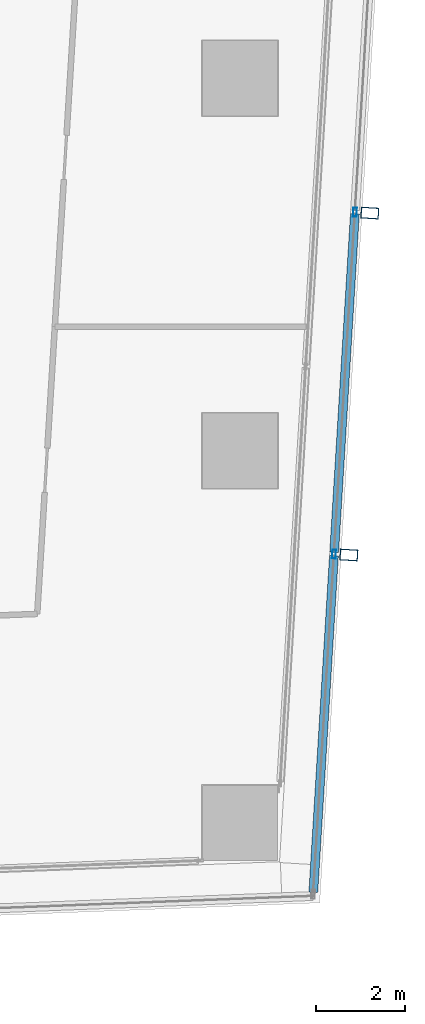
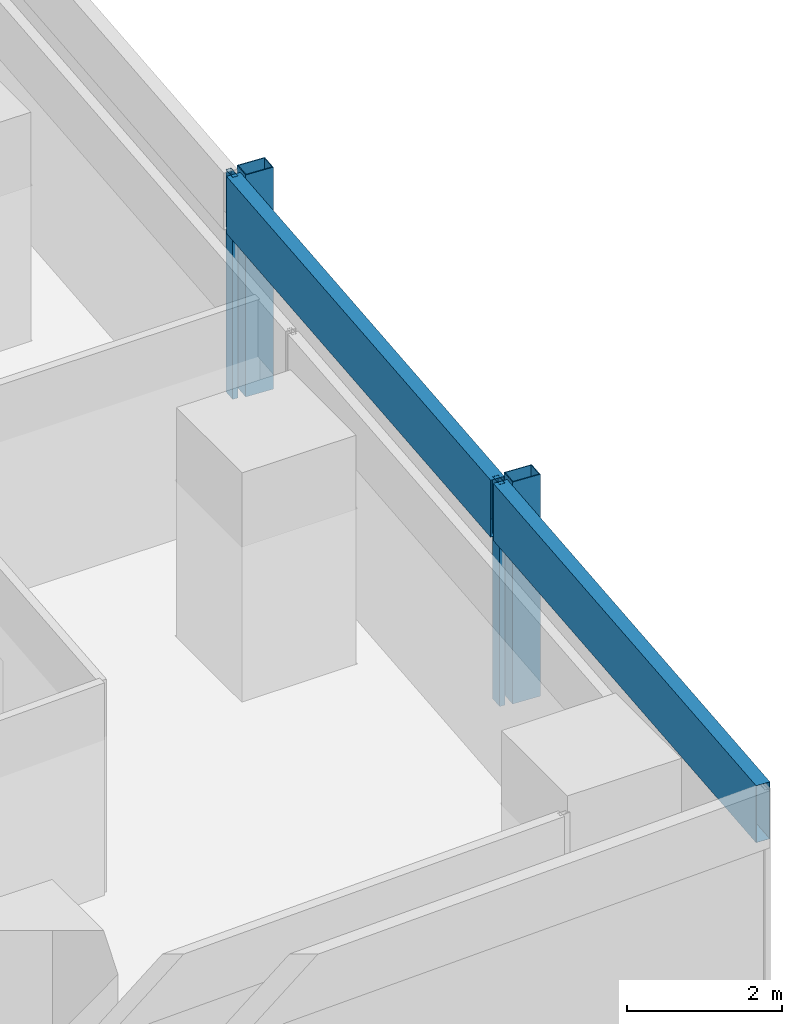
# One storey, part 23 of 40: 6 members, 1 element without a shape of its own.
"""IFC4 building model written with IfcOpenShell, lengths in metres."""

from ifc_helpers import new_model, si_unit, direction, frame, origin, origin_2d, place, context, subcontext, project, spatial, hollow_rectangle, extrude, material, material_profile, profile_set, type_object, element, aggregate, save


model = new_model("IFC4")

# Units and contexts
model_context = context("Model", 3, precision=1e-05, world=origin(), true_north=direction((0.0, 1.0)))
body_context = subcontext(model_context, "Body", "Model", "MODEL_VIEW")
ifc_project = project(units=[si_unit("LENGTHUNIT", "METRE"), si_unit("AREAUNIT", "SQUARE_METRE"), si_unit("VOLUMEUNIT", "CUBIC_METRE"), si_unit("PLANEANGLEUNIT", "RADIAN"), si_unit("MASSUNIT", "GRAM", prefix="KILO")], contexts=[model_context])

# Site, building, storey
site_placement = place(None, origin())
site = spatial("IfcSite", under=ifc_project, at=site_placement, CompositionType="ELEMENT")
building_placement = place(site_placement, origin())
building = spatial("IfcBuilding", under=site, at=building_placement, Name="Rekha Terrace Tower", CompositionType="ELEMENT")
storey_placement = place(building_placement, frame((0.0, 0.0, 140.300048828125)))
storey = spatial("IfcBuildingStorey", under=building, at=storey_placement, Name="L35", CompositionType="ELEMENT", Elevation=140.300048828125)

# Curtain wall, members
ifc_material_1 = material(Name="Aluminium framing", Category="aluminium")
curtain_wall_type = type_object("IfcCurtainWallType", Name="CW2 double skin outer glazing", PredefinedType="USERDEFINED", material=ifc_material_1)
curtain_wall_placement = place(storey_placement, origin())
curtain_wall = element("IfcCurtainWall", 1, at=curtain_wall_placement, inside=storey, type_object=curtain_wall_type, Name="CW2 double skin outer glazing", ObjectType="DOUBLE SKIN OUTER GLAZING", PredefinedType="USERDEFINED")
ifc_material_2 = material(Name="Steel S355 with fluorocarbon finish", Category="steel")
ifc_material_profile_1 = material_profile(ifc_material_2, hollow_rectangle(XDim=0.25, YDim=0.39990234375, WallThickness=0.012451171875, at=origin_2d()), Name="RHS400x250x12.5")
ifc_profile_set_1 = profile_set([ifc_material_profile_1], Name="Steel S355 with fluorocarbon finish")
member_type_1 = type_object("IfcMemberType", Name="BL1 facade blade RHS 400 x 250", PredefinedType="USERDEFINED", material=ifc_profile_set_1)
member_1_placement = place(storey_placement, frame((69.656005859375, 22.845703125, 0.0), z_axis=(0.0, 0.0, 1.0), x_axis=(0.061160031881, 0.998127973008, 0.0)))
member_1 = element("IfcMember", 2, at=member_1_placement, type_object=member_type_1, Name="Facade blade", ObjectType="FACADE BLADE", PredefinedType="USERDEFINED", context=body_context, shape_type="SweptSolid", body=[
    extrude(hollow_rectangle(XDim=0.25, YDim=0.39990234375, WallThickness=0.012451171875, at=origin_2d()), origin(), (0.0, 0.0, 1.0), 3.5),
])
member_2_placement = place(storey_placement, frame((70.128662109375, 30.557861328125, 0.0), z_axis=(0.0, 0.0, 1.0), x_axis=(0.061160031881, 0.998127973008, 0.0)))
member_2 = element("IfcMember", 3, at=member_2_placement, type_object=member_type_1, Name="Facade blade", ObjectType="FACADE BLADE", PredefinedType="USERDEFINED", context=body_context, shape_type="SweptSolid", body=[
    extrude(hollow_rectangle(XDim=0.25, YDim=0.39990234375, WallThickness=0.012451171875, at=origin_2d()), origin(), (0.0, 0.0, 1.0), 3.5),
])
ifc_material_3 = material(Name="Aluminium mullion section", Category="aluminium")
ifc_material_profile_2 = material_profile(ifc_material_3, hollow_rectangle(XDim=0.080078125, YDim=0.199951171875, WallThickness=0.00390625, at=origin_2d()), Name="AL RHS 80x200")
ifc_profile_set_2 = profile_set([ifc_material_profile_2], Name="Aluminium mullion section")
member_type_2 = type_object("IfcMemberType", Name="CW2 mullion RHS 80 x 200", PredefinedType="MULLION", material=ifc_profile_set_2)
member_3_placement = place(storey_placement, frame((69.32177734375, 22.8662109375, 0.0), z_axis=(0.0, 0.0, 1.0), x_axis=(-0.998127987024, 0.061159803131, 0.0)))
member_3 = element("IfcMember", 4, at=member_3_placement, type_object=member_type_2, Name="CW2 mullion 2", PredefinedType="MULLION", context=body_context, shape_type="SweptSolid", body=[
    extrude(hollow_rectangle(XDim=0.080078125, YDim=0.199951171875, WallThickness=0.00390625, at=origin_2d()), origin(), (0.0, 0.0, 1.0), 3.5),
])
member_4_placement = place(storey_placement, frame((69.794189453125, 30.578369140625, 0.0), z_axis=(0.0, 0.0, 1.0), x_axis=(-0.998127987024, 0.061159803131, 0.0)))
member_4 = element("IfcMember", 5, at=member_4_placement, type_object=member_type_2, Name="CW2 mullion 3", PredefinedType="MULLION", context=body_context, shape_type="SweptSolid", body=[
    extrude(hollow_rectangle(XDim=0.080078125, YDim=0.199951171875, WallThickness=0.00390625, at=origin_2d()), origin(), (0.0, 0.0, 1.0), 3.5),
])
ifc_material_4 = material(Name="Insulated aluminium spandrel box", Category="aluminium")
ifc_material_profile_3 = material_profile(ifc_material_4, hollow_rectangle(XDim=0.199951171875, YDim=0.89990234375, WallThickness=0.0029296875, at=origin_2d()), Name="AL SPANDREL BOX 200x900")
ifc_profile_set_3 = profile_set([ifc_material_profile_3], Name="Insulated aluminium spandrel box")
member_type_3 = type_object("IfcMemberType", Name="CW2 spandrel transom 200 x 900", PredefinedType="USERDEFINED", material=ifc_profile_set_3)
member_5_placement = place(storey_placement, frame((68.85400390625, 15.234130859375, 3.050048828125), z_axis=(0.061175320944, 0.998127036057, 0.0), x_axis=(-0.998127036057, 0.061175320944, 0.0)))
member_5 = element("IfcMember", 6, at=member_5_placement, type_object=member_type_3, Name="CW2 spandrel transom 1", ObjectType="TRANSOM", PredefinedType="USERDEFINED", context=body_context, shape_type="SweptSolid", body=[
    extrude(hollow_rectangle(XDim=0.199951171875, YDim=0.89990234375, WallThickness=0.0029296875, at=origin_2d()), origin(), (0.0, 0.0, 1.0), 7.6064453125),
])
member_6_placement = place(storey_placement, frame((69.32421875, 22.90625, 3.050048828125), z_axis=(0.061141871886, 0.998129085591, 0.0), x_axis=(-0.998129085591, 0.061141871886, 0.0)))
member_6 = element("IfcMember", 7, at=member_6_placement, type_object=member_type_3, Name="CW2 spandrel transom 2", ObjectType="TRANSOM", PredefinedType="USERDEFINED", context=body_context, shape_type="SweptSolid", body=[
    extrude(hollow_rectangle(XDim=0.199951171875, YDim=0.89990234375, WallThickness=0.0029296875, at=origin_2d()), origin(), (0.0, 0.0, 1.0), 7.646728515625),
])
aggregate(curtain_wall, [member_3, member_4, member_5, member_6, member_1, member_2])

save(model, "model.ifc")
